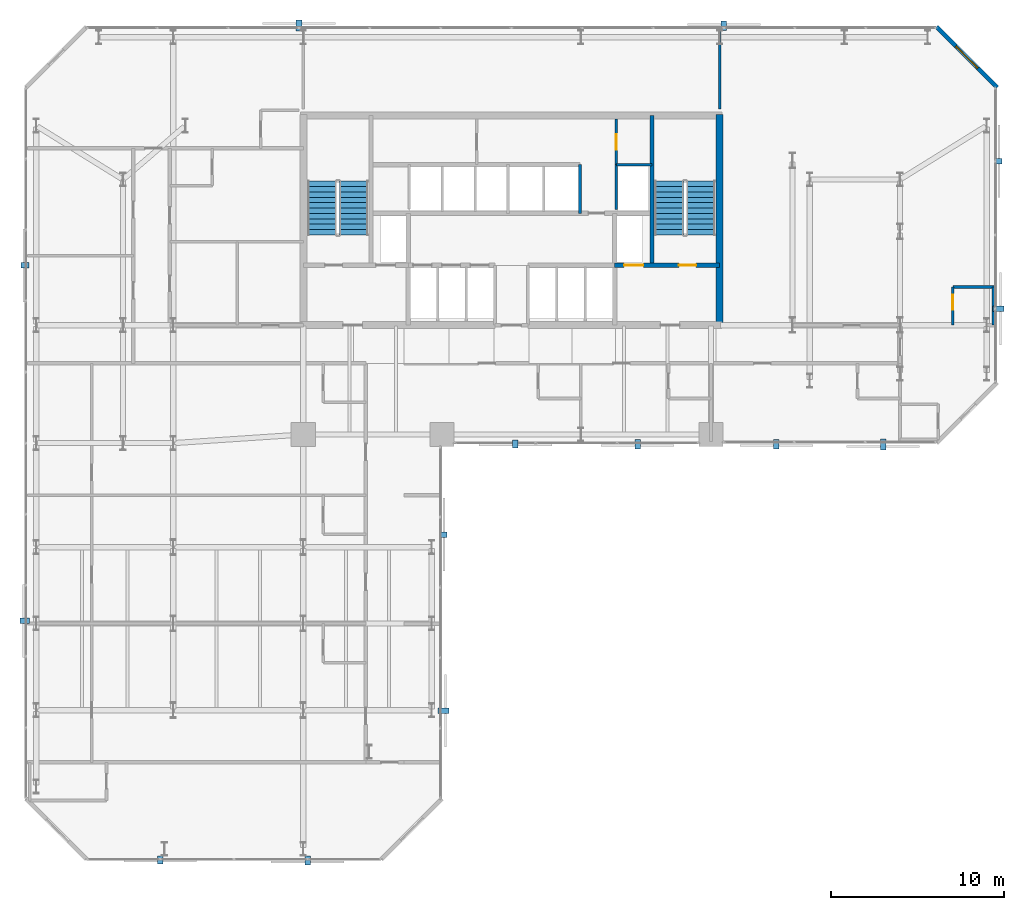
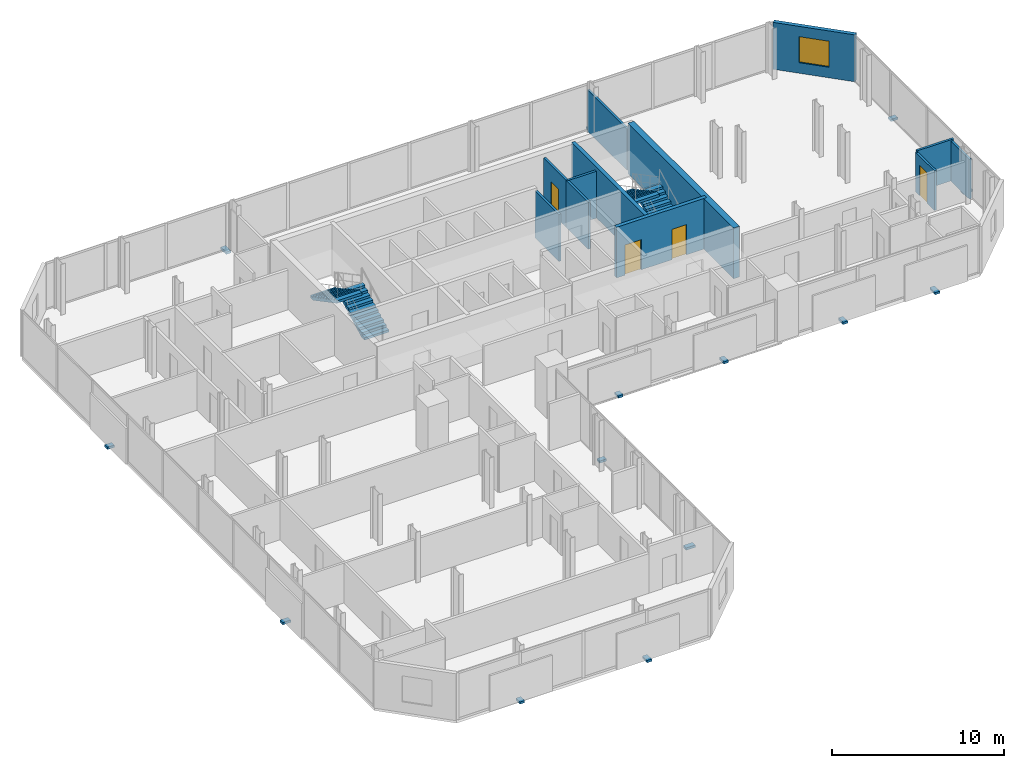
# One storey, part 31 of 33: 14 discrete accessories, 12 walls, 4 doors, 4 stair flights, 1 window, 5 openings, 2 elements without a shape of their own.
"""IFC4 building model written with IfcOpenShell, lengths in metres."""

from ifc_helpers import new_model, si_unit, direction, frame, frame_2d, origin, origin_2d, place, context, subcontext, project, spatial, polyline, rectangle, outline, extrude, material, layer, layer_set, type_object, element, fill, aggregate, save


model = new_model("IFC4")

# Units and contexts
model_context = context("Model", 3, precision=1e-05, world=origin(), true_north=direction((0.0, 1.0)))
body_context = subcontext(model_context, "Body", "Model", "MODEL_VIEW")
ifc_project = project(units=[si_unit("LENGTHUNIT", "METRE"), si_unit("AREAUNIT", "SQUARE_METRE"), si_unit("VOLUMEUNIT", "CUBIC_METRE"), si_unit("PLANEANGLEUNIT", "RADIAN"), si_unit("MASSUNIT", "GRAM", prefix="KILO")], contexts=[model_context])

# Site, building, storey
site_placement = place(None, origin())
site = spatial("IfcSite", under=ifc_project, at=site_placement, CompositionType="ELEMENT")
building_placement = place(site_placement, origin())
building = spatial("IfcBuilding", under=site, at=building_placement, Name="Catumbela Crestline Tower", CompositionType="ELEMENT")
storey_placement = place(building_placement, frame((0.0, 0.0, 51.0)))
storey = spatial("IfcBuildingStorey", under=building, at=storey_placement, Name="L12", CompositionType="ELEMENT", Elevation=51.0)

# Wall
ifc_material_1 = material(Name="Concrete C50/60", Category="concrete")
ifc_layer_1 = layer(ifc_material_1, 0.25, Name="Concrete C50/60")
ifc_layer_set_1 = layer_set([ifc_layer_1], Name="Concrete C50/60")
wall_type_1 = type_object("IfcWallType", Name="CW-250D", PredefinedType="SHEAR", material=ifc_layer_set_1)
wall_1_placement = place(storey_placement, frame((36.1, 34.25, 0.0), z_axis=(0.0, 0.0, 1.0), x_axis=(0.0, 1.0, 0.0)))
element("IfcWall", 1, at=wall_1_placement, inside=storey, type_object=wall_type_1, Name="L12 Structural Core Shear Wall EWEB", PredefinedType="SHEAR", context=body_context, shape_type="SweptSolid", body=[
    extrude(rectangle(XDim=8.65, YDim=0.25, at=frame_2d((4.325, 0.0))), origin(), (0.0, 0.0, 1.0), 3.6),
])

# Wall, openings, doors
wall_2_placement = place(storey_placement, frame((33.95, 34.25, 0.0), z_axis=(0.0, 0.0, 1.0), x_axis=(1.0, 0.0, 0.0)))
wall_2 = element("IfcWall", 2, at=wall_2_placement, inside=storey, type_object=wall_type_1, Name="L12 Structural Core Shear Wall ST2S", PredefinedType="SHEAR", context=body_context, shape_type="SweptSolid", body=[
    extrude(rectangle(XDim=6.05, YDim=0.25, at=frame_2d((3.025, 0.0))), origin(), (0.0, 0.0, 1.0), 3.6),
])
opening_1_placement = place(wall_2_placement, frame((3.7, 0.0, 0.0)))
opening_1 = element("IfcOpeningElement", 3, at=opening_1_placement, cuts=wall_2, Name="Opening DF9-100", PredefinedType="OPENING", context=body_context, shape_type="SweptSolid", body=[
    extrude(rectangle(XDim=1.0, YDim=2.15, at=frame_2d((0.5, 1.075))), frame((0.0, 0.135, 0.0), z_axis=(0.0, -1.0, 0.0), x_axis=(1.0, 0.0, 0.0)), (0.0, 0.0, 1.0), 0.27),
])
opening_2_placement = place(wall_2_placement, frame((0.55, 0.0, 0.0)))
opening_2 = element("IfcOpeningElement", 4, at=opening_2_placement, cuts=wall_2, Name="Opening LD-110", PredefinedType="OPENING", context=body_context, shape_type="SweptSolid", body=[
    extrude(rectangle(XDim=1.1, YDim=2.15, at=frame_2d((0.55, 1.075))), frame((0.0, 0.135, 0.0), z_axis=(0.0, -1.0, 0.0), x_axis=(1.0, 0.0, 0.0)), (0.0, 0.0, 1.0), 0.27),
])
ifc_material_2 = material(Name="Stainless steel EN 1.4401", Category="steel")
door_type_1 = type_object("IfcDoorType", Name="DF9-100", OperationType="NOTDEFINED", PredefinedType="DOOR", material=ifc_material_2)
door_1_placement = place(opening_1_placement, origin())
door_1 = element("IfcDoor", 5, at=door_1_placement, inside=storey, type_object=door_type_1, Name="L12 Interior Door DR-L12-ST02", OperationType="SINGLE_SWING_RIGHT", OverallHeight=2.15, OverallWidth=1.0, PredefinedType="DOOR", context=body_context, shape_type="SweptSolid", body=[
    extrude(rectangle(XDim=1.0, YDim=2.15, at=frame_2d((0.5, 1.075))), frame((0.0, 0.025, 0.0), z_axis=(0.0, -1.0, 0.0), x_axis=(1.0, 0.0, 0.0)), (0.0, 0.0, 1.0), 0.05),
])
fill(opening_1, door_1)
door_type_2 = type_object("IfcDoorType", Name="LD-110", OperationType="NOTDEFINED", PredefinedType="DOOR", material=ifc_material_2)
door_2_placement = place(opening_2_placement, origin())
door_2 = element("IfcDoor", 6, at=door_2_placement, inside=storey, type_object=door_type_2, Name="L12 Lift Landing Sliding Door FL-02", OperationType="DOUBLE_DOOR_SLIDING", OverallHeight=2.15, OverallWidth=1.1, PredefinedType="DOOR", context=body_context, shape_type="SweptSolid", body=[
    extrude(rectangle(XDim=1.1, YDim=2.15, at=frame_2d((0.55, 1.075))), frame((0.0, 0.025, 0.0), z_axis=(0.0, -1.0, 0.0), x_axis=(1.0, 0.0, 0.0)), (0.0, 0.0, 1.0), 0.05),
])
fill(opening_2, door_2)

# Wall
ifc_material_3 = material(Name="Concrete C60/75", Category="concrete")
ifc_layer_2 = layer(ifc_material_3, 0.4, Name="Concrete C60/75")
ifc_layer_set_2 = layer_set([ifc_layer_2], Name="Concrete C60/75")
wall_type_2 = type_object("IfcWallType", Name="CW-400A", PredefinedType="SHEAR", material=ifc_layer_set_2)
wall_3_placement = place(storey_placement, frame((40.0, 30.65, 0.0), z_axis=(0.0, 0.0, 1.0), x_axis=(0.0, 1.0, 0.0)))
element("IfcWall", 7, at=wall_3_placement, inside=storey, type_object=wall_type_2, Name="L12 Structural Core Shear Wall E", PredefinedType="SHEAR", context=body_context, shape_type="SweptSolid", body=[
    extrude(rectangle(XDim=12.3, YDim=0.4, at=frame_2d((6.15, 0.0))), origin(), (0.0, 0.0, 1.0), 3.6),
])

# Wall, opening, window
ifc_material_4 = material(Name="Angolan grey-ochre granite", Category="masonry")
ifc_layer_3 = layer(ifc_material_4, 0.25, Name="Angolan grey-ochre granite")
ifc_layer_set_3 = layer_set([ifc_layer_3], Name="Angolan grey-ochre granite")
wall_type_3 = type_object("IfcWallType", Name="WE-250", PredefinedType="STANDARD", material=ifc_layer_set_3)
wall_4_placement = place(storey_placement, frame((56.0, 44.5, 0.0), z_axis=(0.0, 0.0, 1.0), x_axis=(-0.707106781187, 0.707106781187, 0.0)))
wall_4 = element("IfcWall", 8, at=wall_4_placement, inside=storey, type_object=wall_type_3, Name="L12 Granite Punched Window Wall 6-1", PredefinedType="STANDARD", context=body_context, shape_type="SweptSolid", body=[
    extrude(rectangle(XDim=4.9497, YDim=0.25, at=frame_2d((2.4748, 0.0))), origin(), (0.0, 0.0, 1.0), 3.33),
])
opening_3_placement = place(wall_4_placement, frame((1.5749, 0.0, 0.75)))
opening_3 = element("IfcOpeningElement", 9, at=opening_3_placement, cuts=wall_4, Name="Opening WN-01", PredefinedType="OPENING", context=body_context, shape_type="SweptSolid", body=[
    extrude(rectangle(XDim=1.8, YDim=1.85, at=frame_2d((0.9, 0.925))), frame((0.0, 0.135, 0.0), z_axis=(0.0, -1.0, 0.0), x_axis=(1.0, 0.0, 0.0)), (0.0, 0.0, 1.0), 0.27),
])
ifc_material_5 = material(Name="Low-E laminated solar-control double glazing", Category="glass")
window_type = type_object("IfcWindowType", Name="WF-1800", PartitioningType="SINGLE_PANEL", PredefinedType="WINDOW", material=ifc_material_5)
window_placement = place(opening_3_placement, origin())
window = element("IfcWindow", 10, at=window_placement, inside=storey, type_object=window_type, Name="L12 Facade Vision Window 85", OverallHeight=1.85, OverallWidth=1.8, PartitioningType="SINGLE_PANEL", PredefinedType="WINDOW", context=body_context, shape_type="SweptSolid", body=[
    extrude(rectangle(XDim=1.8, YDim=1.85, at=frame_2d((0.9, 0.925))), frame((0.0, 0.03, 0.0), z_axis=(0.0, -1.0, 0.0), x_axis=(1.0, 0.0, 0.0)), (0.0, 0.0, 1.0), 0.06),
])
fill(opening_3, window)

# Wall
ifc_material_6 = material(Name="Acoustic gypsum and mineral-wool partition")
ifc_layer_4 = layer(ifc_material_6, 0.15, Name="Acoustic gypsum and mineral-wool partition")
ifc_layer_set_4 = layer_set([ifc_layer_4], Name="Acoustic gypsum and mineral-wool partition")
wall_type_4 = type_object("IfcWallType", Name="WP-150", PredefinedType="PARTITIONING", material=ifc_layer_set_4)
wall_5_placement = place(storey_placement, frame((34.05, 40.05, 0.0), z_axis=(0.0, 0.0, 1.0), x_axis=(1.0, 0.0, 0.0)))
element("IfcWall", 11, at=wall_5_placement, inside=storey, type_object=wall_type_4, Name="L12 Interior Partition PW-L12-CR-ES", PredefinedType="PARTITIONING", context=body_context, shape_type="SweptSolid", body=[
    extrude(rectangle(XDim=2.05, YDim=0.15, at=frame_2d((1.025, 0.0))), origin(), (0.0, 0.0, 1.0), 3.33),
])

# Wall, opening, door
wall_6_placement = place(storey_placement, frame((34.05, 40.05, 0.0), z_axis=(0.0, 0.0, 1.0), x_axis=(0.0, 1.0, 0.0)))
wall_6 = element("IfcWall", 12, at=wall_6_placement, inside=storey, type_object=wall_type_4, Name="L12 Interior Partition PW-L12-CR-EW", PredefinedType="PARTITIONING", context=body_context, shape_type="SweptSolid", body=[
    extrude(rectangle(XDim=2.63, YDim=0.15, at=frame_2d((1.315, 0.0))), origin(), (0.0, 0.0, 1.0), 3.33),
])
opening_4_placement = place(wall_6_placement, frame((0.865, 0.0, 0.0)))
opening_4 = element("IfcOpeningElement", 13, at=opening_4_placement, cuts=wall_6, Name="Opening DF9-090", PredefinedType="OPENING", context=body_context, shape_type="SweptSolid", body=[
    extrude(rectangle(XDim=0.9, YDim=2.15, at=frame_2d((0.45, 1.075))), frame((0.0, 0.085, 0.0), z_axis=(0.0, -1.0, 0.0), x_axis=(1.0, 0.0, 0.0)), (0.0, 0.0, 1.0), 0.17),
])
door_type_3 = type_object("IfcDoorType", Name="DF9-090", OperationType="NOTDEFINED", PredefinedType="DOOR", material=ifc_material_2)
door_3_placement = place(opening_4_placement, origin())
door_3 = element("IfcDoor", 14, at=door_3_placement, inside=storey, type_object=door_type_3, Name="L12 Interior Door DR-L12-CREAST", OperationType="SINGLE_SWING_RIGHT", OverallHeight=2.15, OverallWidth=0.9, PredefinedType="DOOR", context=body_context, shape_type="SweptSolid", body=[
    extrude(rectangle(XDim=0.9, YDim=2.15, at=frame_2d((0.45, 1.075))), frame((0.0, 0.025, 0.0), z_axis=(0.0, -1.0, 0.0), x_axis=(1.0, 0.0, 0.0)), (0.0, 0.0, 1.0), 0.05),
])
fill(opening_4, door_3)

# Walls
wall_7_placement = place(storey_placement, frame((40.0, 43.27, 0.0), z_axis=(0.0, 0.0, 1.0), x_axis=(0.0, 1.0, 0.0)))
element("IfcWall", 15, at=wall_7_placement, inside=storey, type_object=wall_type_4, Name="L12 Interior Partition PW-L12-NCF-E", PredefinedType="PARTITIONING", context=body_context, shape_type="SweptSolid", body=[
    extrude(rectangle(XDim=4.63, YDim=0.15, at=frame_2d((2.315, 0.0))), origin(), (0.0, 0.0, 1.0), 2.93),
])
wall_8_placement = place(storey_placement, frame((53.45, 33.0, 0.0), z_axis=(0.0, 0.0, 1.0), x_axis=(1.0, 0.0, 0.0)))
element("IfcWall", 16, at=wall_8_placement, inside=storey, type_object=wall_type_4, Name="L12 Interior Partition PW-L12-NES-BHW", PredefinedType="PARTITIONING", context=body_context, shape_type="SweptSolid", body=[
    extrude(rectangle(XDim=2.45, YDim=0.15, at=frame_2d((1.225, 0.0))), origin(), (0.0, 0.0, 1.0), 2.93),
])

# Wall, opening, door
wall_9_placement = place(storey_placement, frame((53.45, 30.8, 0.0), z_axis=(0.0, 0.0, 1.0), x_axis=(0.0, 1.0, 0.0)))
wall_9 = element("IfcWall", 17, at=wall_9_placement, inside=storey, type_object=wall_type_4, Name="L12 Interior Partition PW-L12-NES-BWW", PredefinedType="PARTITIONING", context=body_context, shape_type="SweptSolid", body=[
    extrude(rectangle(XDim=2.2, YDim=0.15, at=frame_2d((1.1, 0.0))), origin(), (0.0, 0.0, 1.0), 2.82),
])
opening_5_placement = place(wall_9_placement, frame((0.8925, 0.0, 0.0)))
opening_5 = element("IfcOpeningElement", 18, at=opening_5_placement, cuts=wall_9, Name="Opening DI-085", PredefinedType="OPENING", context=body_context, shape_type="SweptSolid", body=[
    extrude(rectangle(XDim=0.85, YDim=2.15, at=frame_2d((0.425, 1.075))), frame((0.0, 0.085, 0.0), z_axis=(0.0, -1.0, 0.0), x_axis=(1.0, 0.0, 0.0)), (0.0, 0.0, 1.0), 0.17),
])
ifc_material_7 = material(Name="Aluminium alloy AW-6060-T66", Category="aluminium")
door_type_4 = type_object("IfcDoorType", Name="DI-085", OperationType="NOTDEFINED", PredefinedType="DOOR", material=ifc_material_7)
door_4_placement = place(opening_5_placement, origin())
door_4 = element("IfcDoor", 19, at=door_4_placement, inside=storey, type_object=door_type_4, Name="L12 Interior Door DR-L12-NES-BTH", OperationType="SINGLE_SWING_RIGHT", OverallHeight=2.15, OverallWidth=0.85, PredefinedType="DOOR", context=body_context, shape_type="SweptSolid", body=[
    extrude(rectangle(XDim=0.85, YDim=2.15, at=frame_2d((0.425, 1.075))), frame((0.0, 0.025, 0.0), z_axis=(0.0, -1.0, 0.0), x_axis=(1.0, 0.0, 0.0)), (0.0, 0.0, 1.0), 0.05),
])
fill(opening_5, door_4)

# Walls
wall_10_placement = place(storey_placement, frame((55.78, 33.0, 0.0), z_axis=(0.0, 0.0, 1.0), x_axis=(0.0, -1.0, 0.0)))
element("IfcWall", 20, at=wall_10_placement, inside=storey, type_object=wall_type_4, Name="L12 Interior Partition PW-L12-NES-BCL-2", PredefinedType="PARTITIONING", context=body_context, shape_type="SweptSolid", body=[
    extrude(rectangle(XDim=2.2, YDim=0.15, at=frame_2d((1.1, 0.0))), origin(), (0.0, 0.0, 1.0), 2.82),
])
ifc_layer_5 = layer(ifc_material_6, 0.15, Name="Acoustic gypsum and mineral-wool partition")
ifc_layer_set_5 = layer_set([ifc_layer_5], Name="Acoustic gypsum and mineral-wool partition")
wall_type_5 = type_object("IfcWallType", Name="WS-150", PredefinedType="PLUMBINGWALL", material=ifc_layer_set_5)
wall_11_placement = place(storey_placement, frame((31.95, 37.25, 0.0), z_axis=(0.0, 0.0, 1.0), x_axis=(0.0, 1.0, 0.0)))
element("IfcWall", 21, at=wall_11_placement, inside=storey, type_object=wall_type_5, Name="L12 Interior Partition PW-L12-SHEX2E", PredefinedType="PLUMBINGWALL", context=body_context, shape_type="SweptSolid", body=[
    extrude(rectangle(XDim=2.8, YDim=0.15, at=frame_2d((1.4, 0.0))), origin(), (0.0, 0.0, 1.0), 3.33),
])
wall_12_placement = place(storey_placement, frame((34.05, 37.4734, 0.0), z_axis=(0.0, 0.0, 1.0), x_axis=(0.0, 1.0, 0.0)))
element("IfcWall", 22, at=wall_12_placement, inside=storey, type_object=wall_type_5, Name="L12 Interior Partition PW-L12-RISW", PredefinedType="PLUMBINGWALL", context=body_context, shape_type="SweptSolid", body=[
    extrude(rectangle(XDim=2.5766, YDim=0.15, at=frame_2d((1.2883, 0.0))), origin(), (0.0, 0.0, 1.0), 3.33),
])

# Stair, stair flights
ifc_material_8 = material(Name="Concrete C45/55", Category="concrete")
stair_type = type_object("IfcStairType", Name="ST-DLG", PredefinedType="HALF_TURN_STAIR", material=ifc_material_8)
stair_1_placement = place(storey_placement, origin())
stair_1 = element("IfcStair", 23, at=stair_1_placement, inside=storey, type_object=stair_type, Name="L12 West Core Pressurised Exit Stair ST-01", PredefinedType="HALF_TURN_STAIR")
stair_flight_type = type_object("IfcStairFlightType", Name="SF-1636", PredefinedType="STRAIGHT", material=ifc_material_8)
stair_flight_1_placement = place(storey_placement, frame((18.92, 36.0, 0.0), z_axis=(0.0, 0.0, 1.0), x_axis=(0.0, 1.0, 0.0)))
stair_flight_1 = element("IfcStairFlight", 24, at=stair_flight_1_placement, type_object=stair_flight_type, Name="ST-01 flight 1", NumberOfRisers=11, NumberOfTreads=10, PredefinedType="STRAIGHT", RiserHeight=0.163636364, TreadLength=0.31, context=body_context, shape_type="SweptSolid", body=[
    extrude(outline(polyline([(0.0, 0.0), (0.0, 0.1636), (0.31, 0.1636), (0.31, 0.3273), (0.62, 0.3273), (0.62, 0.4909), (0.93, 0.4909), (0.93, 0.6545), (1.24, 0.6545), (1.24, 0.8182), (1.55, 0.8182), (1.55, 0.9818), (1.86, 0.9818), (1.86, 1.1455), (2.17, 1.1455), (2.17, 1.3091), (2.48, 1.3091), (2.48, 1.4727), (2.79, 1.4727), (2.79, 1.6364), (3.1, 1.6364), (3.1, 1.8), (3.1, 1.4554), (0.3427, 0.0), (0.0, 0.0)])), frame((0.0, 0.83, 0.0), z_axis=(0.0, -1.0, 0.0), x_axis=(1.0, 0.0, 0.0)), (0.0, 0.0, 1.0), 1.66),
])
stair_flight_2_placement = place(storey_placement, frame((17.08, 39.1, 1.8), z_axis=(0.0, 0.0, 1.0), x_axis=(0.0, -1.0, 0.0)))
stair_flight_2 = element("IfcStairFlight", 25, at=stair_flight_2_placement, type_object=stair_flight_type, Name="ST-01 flight 2", NumberOfRisers=11, NumberOfTreads=10, PredefinedType="STRAIGHT", RiserHeight=0.163636364, TreadLength=0.31, context=body_context, shape_type="SweptSolid", body=[
    extrude(outline(polyline([(0.0, 0.0), (0.0, 0.1636), (0.31, 0.1636), (0.31, 0.3273), (0.62, 0.3273), (0.62, 0.4909), (0.93, 0.4909), (0.93, 0.6545), (1.24, 0.6545), (1.24, 0.8182), (1.55, 0.8182), (1.55, 0.9818), (1.86, 0.9818), (1.86, 1.1455), (2.17, 1.1455), (2.17, 1.3091), (2.48, 1.3091), (2.48, 1.4727), (2.79, 1.4727), (2.79, 1.6364), (3.1, 1.6364), (3.1, 1.8), (3.1, 1.4554), (0.3427, 0.0), (0.0, 0.0)])), frame((0.0, 0.83, 0.0), z_axis=(0.0, -1.0, 0.0), x_axis=(1.0, 0.0, 0.0)), (0.0, 0.0, 1.0), 1.66),
])
aggregate(stair_1, [stair_flight_1, stair_flight_2])

stair_2_placement = place(storey_placement, origin())
stair_2 = element("IfcStair", 26, at=stair_2_placement, inside=storey, type_object=stair_type, Name="L12 East Core Pressurised Exit Stair ST-02", PredefinedType="HALF_TURN_STAIR")
stair_flight_3_placement = place(storey_placement, frame((38.92, 36.0, 0.0), z_axis=(0.0, 0.0, 1.0), x_axis=(0.0, 1.0, 0.0)))
stair_flight_3 = element("IfcStairFlight", 27, at=stair_flight_3_placement, type_object=stair_flight_type, Name="ST-02 flight 1", NumberOfRisers=11, NumberOfTreads=10, PredefinedType="STRAIGHT", RiserHeight=0.163636364, TreadLength=0.31, context=body_context, shape_type="SweptSolid", body=[
    extrude(outline(polyline([(0.0, 0.0), (0.0, 0.1636), (0.31, 0.1636), (0.31, 0.3273), (0.62, 0.3273), (0.62, 0.4909), (0.93, 0.4909), (0.93, 0.6545), (1.24, 0.6545), (1.24, 0.8182), (1.55, 0.8182), (1.55, 0.9818), (1.86, 0.9818), (1.86, 1.1455), (2.17, 1.1455), (2.17, 1.3091), (2.48, 1.3091), (2.48, 1.4727), (2.79, 1.4727), (2.79, 1.6364), (3.1, 1.6364), (3.1, 1.8), (3.1, 1.4554), (0.3427, 0.0), (0.0, 0.0)])), frame((0.0, 0.83, 0.0), z_axis=(0.0, -1.0, 0.0), x_axis=(1.0, 0.0, 0.0)), (0.0, 0.0, 1.0), 1.66),
])
stair_flight_4_placement = place(storey_placement, frame((37.08, 39.1, 1.8), z_axis=(0.0, 0.0, 1.0), x_axis=(0.0, -1.0, 0.0)))
stair_flight_4 = element("IfcStairFlight", 28, at=stair_flight_4_placement, type_object=stair_flight_type, Name="ST-02 flight 2", NumberOfRisers=11, NumberOfTreads=10, PredefinedType="STRAIGHT", RiserHeight=0.163636364, TreadLength=0.31, context=body_context, shape_type="SweptSolid", body=[
    extrude(outline(polyline([(0.0, 0.0), (0.0, 0.1636), (0.31, 0.1636), (0.31, 0.3273), (0.62, 0.3273), (0.62, 0.4909), (0.93, 0.4909), (0.93, 0.6545), (1.24, 0.6545), (1.24, 0.8182), (1.55, 0.8182), (1.55, 0.9818), (1.86, 0.9818), (1.86, 1.1455), (2.17, 1.1455), (2.17, 1.3091), (2.48, 1.3091), (2.48, 1.4727), (2.79, 1.4727), (2.79, 1.6364), (3.1, 1.6364), (3.1, 1.8), (3.1, 1.4554), (0.3427, 0.0), (0.0, 0.0)])), frame((0.0, 0.83, 0.0), z_axis=(0.0, -1.0, 0.0), x_axis=(1.0, 0.0, 0.0)), (0.0, 0.0, 1.0), 1.66),
])
aggregate(stair_2, [stair_flight_3, stair_flight_4])

# Discrete accessories
discrete_accessory_type = type_object("IfcDiscreteAccessoryType", Name="BK-SS1", PredefinedType="BRACKET", material=ifc_material_2)
discrete_accessory_1_placement = place(storey_placement, frame((7.75, -0.045, -0.18), z_axis=(0.0, 0.0, 1.0), x_axis=(1.0, 0.0, 0.0)))
element("IfcDiscreteAccessory", 29, at=discrete_accessory_1_placement, inside=storey, type_object=discrete_accessory_type, Name="L12 Solar Screen Stainless Bracket 99", PredefinedType="BRACKET", context=body_context, shape_type="SweptSolid", body=[
    extrude(rectangle(XDim=0.32, YDim=0.46, at=origin_2d()), origin(), (0.0, 0.0, 1.0), 0.16),
])
discrete_accessory_2_placement = place(storey_placement, frame((16.25, -0.065, -0.18), z_axis=(0.0, 0.0, 1.0), x_axis=(1.0, 0.0, 0.0)))
element("IfcDiscreteAccessory", 30, at=discrete_accessory_2_placement, inside=storey, type_object=discrete_accessory_type, Name="L12 Solar Screen Stainless Bracket 100", PredefinedType="BRACKET", context=body_context, shape_type="SweptSolid", body=[
    extrude(rectangle(XDim=0.32, YDim=0.54, at=origin_2d()), origin(), (0.0, 0.0, 1.0), 0.16),
])
discrete_accessory_3_placement = place(storey_placement, frame((24.085, 8.575, -0.18), z_axis=(0.0, 0.0, 1.0), x_axis=(0.0, 1.0, 0.0)))
element("IfcDiscreteAccessory", 31, at=discrete_accessory_3_placement, inside=storey, type_object=discrete_accessory_type, Name="L12 Solar Screen Stainless Bracket 101", PredefinedType="BRACKET", context=body_context, shape_type="SweptSolid", body=[
    extrude(rectangle(XDim=0.32, YDim=0.62, at=origin_2d()), origin(), (0.0, 0.0, 1.0), 0.16),
])
for number, where, z_axis, x_axis, name in (
    (32, (24.045, 18.725, -0.18), (0.0, 0.0, 1.0), (0.0, 1.0, 0.0), "L12 Solar Screen Stainless Bracket 102"),
    (33, (28.225, 23.955, -0.18), (0.0, 0.0, 1.0), (1.0, 0.0, 0.0), "L12 Solar Screen Stainless Bracket 103"),
):
    element("IfcDiscreteAccessory", number, at=place(storey_placement, frame(where, z_axis=z_axis, x_axis=x_axis)), inside=storey, type_object=discrete_accessory_type, Name=name, PredefinedType="BRACKET", context=body_context, shape_type="SweptSolid", body=[
        extrude(rectangle(XDim=0.32, YDim=0.46, at=origin_2d()), origin(), (0.0, 0.0, 1.0), 0.16),
    ])
for number, where, z_axis, x_axis, name in (
    (34, (35.275, 23.935, -0.18), (0.0, 0.0, 1.0), (1.0, 0.0, 0.0), "L12 Solar Screen Stainless Bracket 104"),
    (35, (43.275, 23.935, -0.18), (0.0, 0.0, 1.0), (1.0, 0.0, 0.0), "L12 Solar Screen Stainless Bracket 105"),
):
    element("IfcDiscreteAccessory", number, at=place(storey_placement, frame(where, z_axis=z_axis, x_axis=x_axis)), inside=storey, type_object=discrete_accessory_type, Name=name, PredefinedType="BRACKET", context=body_context, shape_type="SweptSolid", body=[
        extrude(rectangle(XDim=0.32, YDim=0.54, at=origin_2d()), origin(), (0.0, 0.0, 1.0), 0.16),
    ])
for number, where, z_axis, x_axis, name in (
    (36, (49.425, 23.915, -0.18), (0.0, 0.0, 1.0), (1.0, 0.0, 0.0), "L12 Solar Screen Stainless Bracket 106"),
    (37, (56.085, 31.75, -0.18), (0.0, 0.0, 1.0), (0.0, 1.0, 0.0), "L12 Solar Screen Stainless Bracket 107"),
):
    element("IfcDiscreteAccessory", number, at=place(storey_placement, frame(where, z_axis=z_axis, x_axis=x_axis)), inside=storey, type_object=discrete_accessory_type, Name=name, PredefinedType="BRACKET", context=body_context, shape_type="SweptSolid", body=[
        extrude(rectangle(XDim=0.32, YDim=0.62, at=origin_2d()), origin(), (0.0, 0.0, 1.0), 0.16),
    ])
discrete_accessory_4_placement = place(storey_placement, frame((56.045, 40.25, -0.18), z_axis=(0.0, 0.0, 1.0), x_axis=(0.0, 1.0, 0.0)))
element("IfcDiscreteAccessory", 38, at=discrete_accessory_4_placement, inside=storey, type_object=discrete_accessory_type, Name="L12 Solar Screen Stainless Bracket 108", PredefinedType="BRACKET", context=body_context, shape_type="SweptSolid", body=[
    extrude(rectangle(XDim=0.32, YDim=0.46, at=origin_2d()), origin(), (0.0, 0.0, 1.0), 0.16),
])
discrete_accessory_5_placement = place(storey_placement, frame((40.25, 48.065, -0.18), z_axis=(0.0, 0.0, 1.0), x_axis=(-1.0, 0.0, 0.0)))
element("IfcDiscreteAccessory", 39, at=discrete_accessory_5_placement, inside=storey, type_object=discrete_accessory_type, Name="L12 Solar Screen Stainless Bracket 109", PredefinedType="BRACKET", context=body_context, shape_type="SweptSolid", body=[
    extrude(rectangle(XDim=0.32, YDim=0.54, at=origin_2d()), origin(), (0.0, 0.0, 1.0), 0.16),
])
discrete_accessory_6_placement = place(storey_placement, frame((15.75, 48.085, -0.18), z_axis=(0.0, 0.0, 1.0), x_axis=(-1.0, 0.0, 0.0)))
element("IfcDiscreteAccessory", 40, at=discrete_accessory_6_placement, inside=storey, type_object=discrete_accessory_type, Name="L12 Solar Screen Stainless Bracket 110", PredefinedType="BRACKET", context=body_context, shape_type="SweptSolid", body=[
    extrude(rectangle(XDim=0.32, YDim=0.62, at=origin_2d()), origin(), (0.0, 0.0, 1.0), 0.16),
])
discrete_accessory_7_placement = place(storey_placement, frame((-0.045, 34.25, -0.18), z_axis=(0.0, 0.0, 1.0), x_axis=(0.0, -1.0, 0.0)))
element("IfcDiscreteAccessory", 41, at=discrete_accessory_7_placement, inside=storey, type_object=discrete_accessory_type, Name="L12 Solar Screen Stainless Bracket 111", PredefinedType="BRACKET", context=body_context, shape_type="SweptSolid", body=[
    extrude(rectangle(XDim=0.32, YDim=0.46, at=origin_2d()), origin(), (0.0, 0.0, 1.0), 0.16),
])
discrete_accessory_8_placement = place(storey_placement, frame((-0.065, 13.75, -0.18), z_axis=(0.0, 0.0, 1.0), x_axis=(0.0, -1.0, 0.0)))
element("IfcDiscreteAccessory", 42, at=discrete_accessory_8_placement, inside=storey, type_object=discrete_accessory_type, Name="L12 Solar Screen Stainless Bracket 112", PredefinedType="BRACKET", context=body_context, shape_type="SweptSolid", body=[
    extrude(rectangle(XDim=0.32, YDim=0.54, at=origin_2d()), origin(), (0.0, 0.0, 1.0), 0.16),
])

save(model, "model.ifc")
